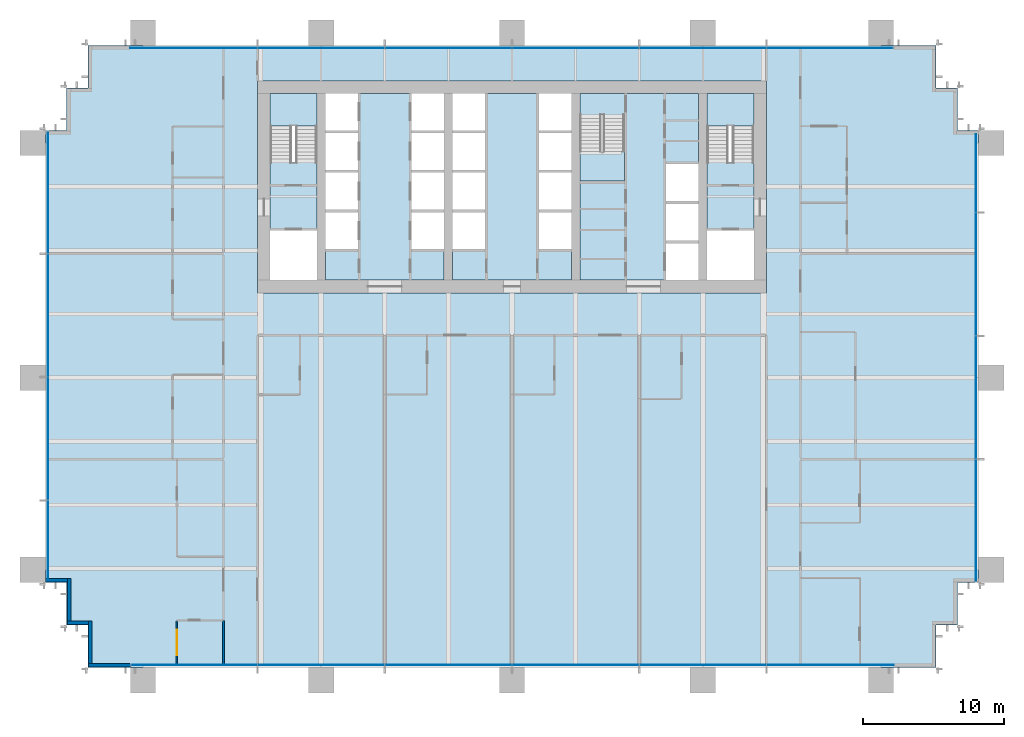
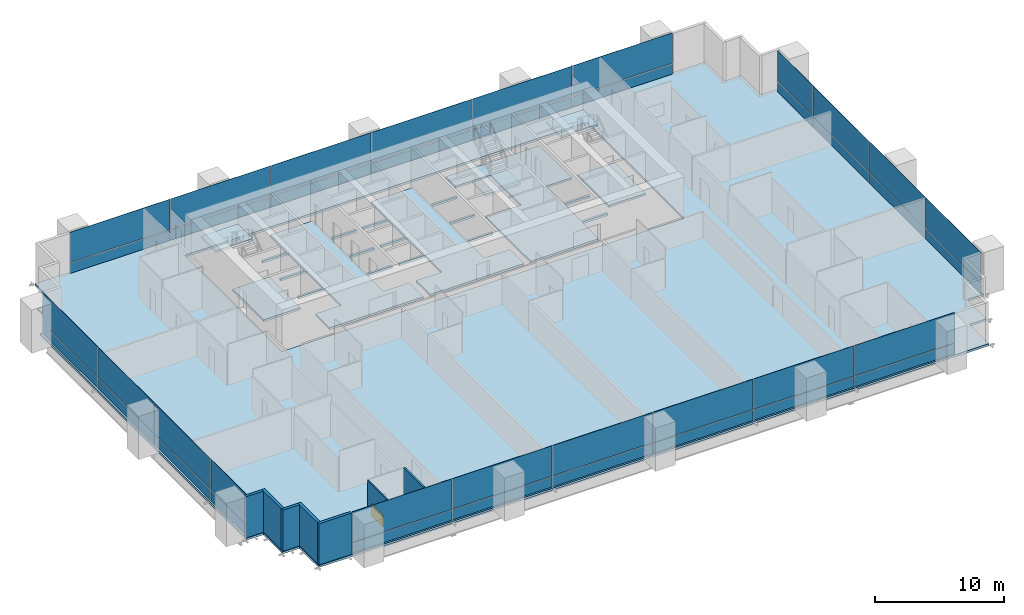
# One storey, part 10 of 17: 40 plates, 9 slabs, 7 walls, 1 window, 1 opening, 7 elements without a shape of their own.
"""IFC4 building model written with IfcOpenShell, lengths in metres."""

import ifcopenshell
import ifcopenshell.guid

model = None  # the IFC model being written
_history = None  # IfcOwnerHistory: only IFC2X3 demands one
_inside = {}  # id of a spatial element -> (the spatial element, [elements in it])
_under = {}  # id of a project, library or spatial element -> (it, [spatial elements below it])
_declared = {}  # id of a project -> (the project, [libraries it declares])
_typed = {}  # id of a type object -> (the type object, [elements of that type])
_made_of = {}  # id of a material, layer set ... -> (it, [elements and type objects made of it])


def new_model(schema):
    """Start an empty IFC model of exactly this schema.

    Asked for "IFC4X3", IfcOpenShell would pick the latest addendum, in which some entities
    have other attributes; the version numbers below select the first issue.
    IFC2X3 requires an IfcOwnerHistory on every rooted entity: one is made here for all.
    """
    global model, _history
    if schema == "IFC4X3":
        model = ifcopenshell.file(schema_version=(4, 3, 0, 0))
    else:
        model = ifcopenshell.file(schema=schema)
    _inside.clear()
    _under.clear()
    _declared.clear()
    _typed.clear()
    _made_of.clear()
    _history = None
    if model.schema == "IFC2X3":
        org = make("IfcOrganization", Name="unknown")
        user = make(
            "IfcPersonAndOrganization",
            ThePerson=make("IfcPerson", FamilyName="unknown"),
            TheOrganization=org,
        )
        app = make(
            "IfcApplication",
            ApplicationDeveloper=org,
            Version="unknown",
            ApplicationFullName="unknown",
            ApplicationIdentifier="unknown",
        )
        _history = make(
            "IfcOwnerHistory",
            OwningUser=user,
            OwningApplication=app,
            ChangeAction="ADDED",
            CreationDate=0,
        )
    return model


def make(cls, **values):
    """One entity of the class cls with the attributes given. An attribute that is None is left unset."""
    return model.create_entity(
        cls, **{name: value for name, value in values.items() if value is not None}
    )


def rooted(cls, **values):
    """An entity with a GlobalId (a new one), such as an element, a storey or a relation."""
    return make(cls, GlobalId=ifcopenshell.guid.new(), OwnerHistory=_history, **values)


def si_unit(unit_type, name, prefix=None):
    """IfcSIUnit, for example si_unit("LENGTHUNIT", "METRE", prefix="MILLI")."""
    return make("IfcSIUnit", UnitType=unit_type, Prefix=prefix, Name=name)


def assignment(units):
    """IfcUnitAssignment: the units of a project."""
    return None if units is None else make("IfcUnitAssignment", Units=units)


def point(xyz):
    """IfcCartesianPoint."""
    return None if xyz is None else make("IfcCartesianPoint", Coordinates=xyz)


def direction(xyz):
    """IfcDirection."""
    return None if xyz is None else make("IfcDirection", DirectionRatios=xyz)


def frame(location, z_axis=None, x_axis=None):
    """IfcAxis2Placement3D, a coordinate frame: its origin and axes. An axis left out is left unset."""
    return make(
        "IfcAxis2Placement3D",
        Location=point(location),
        Axis=direction(z_axis),
        RefDirection=direction(x_axis),
    )


def frame_2d(location, x_axis=None):
    """IfcAxis2Placement2D, a coordinate frame in the plane: its origin and x axis."""
    return make(
        "IfcAxis2Placement2D", Location=point(location), RefDirection=direction(x_axis)
    )


def origin():
    """The frame at (0, 0, 0) with its axes left unset."""
    return frame((0.0, 0.0, 0.0))


def origin_2d():
    """The frame at (0, 0) in the plane with its x axis left unset."""
    return frame_2d((0.0, 0.0))


def place(relative_to, where):
    """IfcLocalPlacement: puts the frame where relative to a parent placement (None: the world)."""
    return make(
        "IfcLocalPlacement", PlacementRelTo=relative_to, RelativePlacement=where
    )


def context(
    kind, dimensions, precision=None, world=None, true_north=None, identifier=None
):
    """IfcGeometricRepresentationContext, for example the 3D "Model" context."""
    return make(
        "IfcGeometricRepresentationContext",
        ContextIdentifier=identifier,
        ContextType=kind,
        CoordinateSpaceDimension=dimensions,
        Precision=precision,
        WorldCoordinateSystem=world,
        TrueNorth=true_north,
    )


def subcontext(parent, identifier, kind, view, scale=None):
    """IfcGeometricRepresentationSubContext, for example "Body" below "Model"."""
    return make(
        "IfcGeometricRepresentationSubContext",
        ContextIdentifier=identifier,
        ContextType=kind,
        ParentContext=parent,
        TargetScale=scale,
        TargetView=view,
    )


def project(units=None, contexts=None):
    """IfcProject with its units and contexts."""
    return rooted(
        "IfcProject",
        Name="project",
        RepresentationContexts=contexts,
        UnitsInContext=assignment(units),
    )


def spatial(cls, under=None, at=None, **own):
    """A site, building, storey or space (cls), placed at a placement, below another one or the project."""
    s = rooted(cls, ObjectPlacement=at, **own)
    if under is not None:
        _under.setdefault(under.id(), (under, []))[1].append(s)
    return s


def polyline(points):
    """IfcPolyline through the points."""
    return make("IfcPolyline", Points=[point(p) for p in points])


def profile(cls, at=None, kind="AREA", **sizes):
    """A parametric profile (cls). Its sizes go by their IFC names, for example OverallWidth=200.0."""
    return make(cls, ProfileType=kind, Position=at, **sizes)


def rectangle(**sizes):
    """IfcRectangleProfileDef."""
    return profile("IfcRectangleProfileDef", **sizes)


def outline(outer, holes=None, kind="AREA"):
    """IfcArbitraryClosedProfileDef: a profile drawn as a closed curve; with holes, ...WithVoids."""
    if holes is None:
        return make("IfcArbitraryClosedProfileDef", ProfileType=kind, OuterCurve=outer)
    return make(
        "IfcArbitraryProfileDefWithVoids",
        ProfileType=kind,
        OuterCurve=outer,
        InnerCurves=holes,
    )


def extrude(swept, where, along, depth):
    """IfcExtrudedAreaSolid: the profile swept, set in the frame where, extruded along a direction by depth."""
    return make(
        "IfcExtrudedAreaSolid",
        SweptArea=swept,
        Position=where,
        ExtrudedDirection=direction(along),
        Depth=depth,
    )


def shape(context_of_items, identifier, shape_type, items):
    """IfcShapeRepresentation: the items that make up one representation, for example the "Body"."""
    return make(
        "IfcShapeRepresentation",
        ContextOfItems=context_of_items,
        RepresentationIdentifier=identifier,
        RepresentationType=shape_type,
        Items=items,
    )


def material(Name=None, Category=None):
    """IfcMaterial."""
    return make("IfcMaterial", Name=Name, Category=Category)


def layer(
    of_material, thickness, ventilated=None, Name=None, Category=None, Priority=None
):
    """IfcMaterialLayer: one layer of a wall or slab, of a material (None: an air gap)."""
    return make(
        "IfcMaterialLayer",
        Material=of_material,
        LayerThickness=thickness,
        IsVentilated=ventilated,
        Name=Name,
        Category=Category,
        Priority=Priority,
    )


def layer_set(layers, Name=None):
    """IfcMaterialLayerSet."""
    return make("IfcMaterialLayerSet", MaterialLayers=layers, LayerSetName=Name)


def made_of(thing, what):
    """Note that an element or type object is made of a material, layer set ...; save() writes the relation."""
    if what is not None:
        _made_of.setdefault(what.id(), (what, []))[1].append(thing)
    return thing


def type_object(cls, material=None, **own):
    """A type object (cls), such as IfcWallType, which elements share."""
    return made_of(rooted(cls, **own), material)


def element(
    cls,
    number,
    at=None,
    inside=None,
    cuts=None,
    type_object=None,
    material=None,
    context=None,
    identifier="Body",
    shape_type=None,
    held_by="IfcProductDefinitionShape",
    body=None,
    shapes=None,
    **own,
):
    """One element of the class cls, such as IfcWall. Its Tag is "e" and its number.

    at: its placement. inside: the storey or other place that contains it. cuts: it is an
    opening in that element (IfcRelVoidsElement). A single representation is given by context,
    identifier, shape_type and body (its items); several are given by shapes. held_by: the class
    of the entity that holds the representations. save() writes the other relations.
    """
    e = rooted(cls, Tag="e%d" % number, ObjectPlacement=at, **own)
    if body is not None:
        shapes = [shape(context, identifier, shape_type, body)]
    if shapes is not None:
        e.Representation = make(held_by, Representations=shapes)
    if inside is not None:
        _inside.setdefault(inside.id(), (inside, []))[1].append(e)
    if cuts is not None:
        rooted(
            "IfcRelVoidsElement", RelatingBuildingElement=cuts, RelatedOpeningElement=e
        )
    if type_object is not None:
        _typed.setdefault(type_object.id(), (type_object, []))[1].append(e)
    return made_of(e, material)


def fill(opening, filler):
    """IfcRelFillsElement: the door or window that sits in an opening."""
    return rooted(
        "IfcRelFillsElement",
        RelatingOpeningElement=opening,
        RelatedBuildingElement=filler,
    )


def aggregate(whole, parts):
    """IfcRelAggregates: a whole, such as a stair, and the parts it consists of."""
    return rooted("IfcRelAggregates", RelatingObject=whole, RelatedObjects=parts)


def save(model, path):
    """Write the relations noted so far, then the file.

    IfcRelAggregates (storeys below a building ...), IfcRelContainedInSpatialStructure (elements
    in a storey), IfcRelDefinesByType, IfcRelAssociatesMaterial and IfcRelDeclares: one each for
    every whole, place, type object, material and project.
    """
    for whole, parts in _under.values():
        aggregate(whole, parts)
    for where, things in _inside.values():
        rooted(
            "IfcRelContainedInSpatialStructure",
            RelatedElements=things,
            RelatingStructure=where,
        )
    for kind, things in _typed.values():
        rooted("IfcRelDefinesByType", RelatedObjects=things, RelatingType=kind)
    for what, things in _made_of.values():
        rooted("IfcRelAssociatesMaterial", RelatedObjects=things, RelatingMaterial=what)
    for by, libraries in _declared.values():
        rooted("IfcRelDeclares", RelatingContext=by, RelatedDefinitions=libraries)
    model.write(path)


model = new_model("IFC4")

# Units and contexts
model_context = context("Model", 3, precision=1e-05, world=origin(), true_north=direction((0.0, 1.0)))
body_context = subcontext(model_context, "Body", "Model", "MODEL_VIEW")
ifc_project = project(units=[si_unit("LENGTHUNIT", "METRE"), si_unit("AREAUNIT", "SQUARE_METRE"), si_unit("VOLUMEUNIT", "CUBIC_METRE"), si_unit("PLANEANGLEUNIT", "RADIAN"), si_unit("MASSUNIT", "GRAM", prefix="KILO")], contexts=[model_context])

# Site, building, storey
site_placement = place(None, origin())
site = spatial("IfcSite", under=ifc_project, at=site_placement, CompositionType="ELEMENT")
building_placement = place(site_placement, origin())
building = spatial("IfcBuilding", under=site, at=building_placement, Name="Rattan Terrace Tower", CompositionType="ELEMENT")
storey_placement = place(building_placement, frame((0.0, 0.0, 61.10009765625)))
storey = spatial("IfcBuildingStorey", under=building, at=storey_placement, Name="L13", CompositionType="ELEMENT", Elevation=61.10009765625)

# Stair, slab
ifc_material_1 = material(Name="Concrete C40/50", Category="concrete")
stair_type = type_object("IfcStairType", Name="Core exit stair 1500", PredefinedType="HALF_TURN_STAIR", material=ifc_material_1)
stair_1_placement = place(storey_placement, origin())
stair_1 = element("IfcStair", 1, at=stair_1_placement, inside=storey, type_object=stair_type, Name="L13 exit stair 1", PredefinedType="HALF_TURN_STAIR")
ifc_material_2 = material(Name="Concrete C40/50", Category="concrete")
ifc_layer_1 = layer(ifc_material_2, 0.199951171875)
ifc_layer_set_1 = layer_set([ifc_layer_1], Name="Core exit stair landing")
slab_type_1 = type_object("IfcSlabType", Name="Core exit stair landing", PredefinedType="LANDING", material=ifc_layer_set_1)
slab_1_placement = place(storey_placement, frame((0.0, 0.0, 1.849853515625)))
slab_1 = element("IfcSlab", 2, at=slab_1_placement, type_object=slab_type_1, Name="S1 landing 1", PredefinedType="LANDING", context=body_context, shape_type="SweptSolid", body=[
    extrude(outline(polyline([(-13.800048828125, 4.300048828125), (-13.800048828125, 6.60009765625), (-17.10009765625, 6.60009765625), (-17.10009765625, 4.300048828125), (-13.800048828125, 4.300048828125)])), origin(), (0.0, 0.0, 1.0), 0.199951171875),
])
aggregate(stair_1, [slab_1])

stair_2_placement = place(storey_placement, origin())
stair_2 = element("IfcStair", 3, at=stair_2_placement, inside=storey, type_object=stair_type, Name="L13 exit stair 2", PredefinedType="HALF_TURN_STAIR")
slab_2_placement = place(storey_placement, frame((0.0, 0.0, 1.849853515625)))
slab_2 = element("IfcSlab", 4, at=slab_2_placement, type_object=slab_type_1, Name="S2 landing 1", PredefinedType="LANDING", context=body_context, shape_type="SweptSolid", body=[
    extrude(outline(polyline([(17.10009765625, 4.300048828125), (17.10009765625, 6.60009765625), (13.800048828125, 6.60009765625), (13.800048828125, 4.300048828125), (17.10009765625, 4.300048828125)])), origin(), (0.0, 0.0, 1.0), 0.199951171875),
])
aggregate(stair_2, [slab_2])

stair_3_placement = place(storey_placement, origin())
stair_3 = element("IfcStair", 5, at=stair_3_placement, inside=storey, type_object=stair_type, Name="L13 exit stair 3", PredefinedType="HALF_TURN_STAIR")
slab_3_placement = place(storey_placement, frame((0.0, 0.0, 1.849853515625)))
slab_3 = element("IfcSlab", 6, at=slab_3_placement, type_object=slab_type_1, Name="S3 landing 1", PredefinedType="LANDING", context=body_context, shape_type="SweptSolid", body=[
    extrude(outline(polyline([(4.800048828125, 2.5), (4.800048828125, 0.39990234375), (7.949951171875, 0.39990234375), (7.949951171875, 2.5), (4.800048828125, 2.5)])), origin(), (0.0, 0.0, 1.0), 0.199951171875),
])
aggregate(stair_3, [slab_3])

# Curtain wall, plates
ifc_material_3 = material(Name="Aluminium and glass", Category="aluminium")
curtain_wall_type = type_object("IfcCurtainWallType", Name="Facade Unitised Curtain Wall", PredefinedType="NOTDEFINED", material=ifc_material_3)
curtain_wall_1_placement = place(storey_placement, origin())
curtain_wall_1 = element("IfcCurtainWall", 7, at=curtain_wall_1_placement, inside=storey, type_object=curtain_wall_type, Name="Curtain wall L13-1", PredefinedType="NOTDEFINED")
ifc_material_4 = material(Name="Aluminium insulated spandrel panel", Category="aluminium")
ifc_layer_2 = layer(ifc_material_4, 0.028076171875)
ifc_layer_set_2 = layer_set([ifc_layer_2], Name="Facade CW Spandrel Panel")
plate_type_1 = type_object("IfcPlateType", Name="Facade CW Spandrel Panel", PredefinedType="CURTAIN_PANEL", material=ifc_layer_set_2)
plate_1_placement = place(storey_placement, frame((32.830078125, -23.59912109375, 0.0), z_axis=(0.0, 0.0, 1.0), x_axis=(0.0, 1.0, 0.0)))
plate_1 = element("IfcPlate", 8, at=plate_1_placement, type_object=plate_type_1, Name="Panel cwl-L13-001.1.1", PredefinedType="CURTAIN_PANEL", context=body_context, shape_type="SweptSolid", body=[
    extrude(rectangle(XDim=8.592041015625, YDim=0.028076171875, at=origin_2d()), origin(), (0.0, 0.0, 1.0), 0.969970703125),
])
plate_2_placement = place(storey_placement, frame((32.830078125, -14.909423828125, 0.0), z_axis=(0.0, 0.0, 1.0), x_axis=(0.0, 1.0, 0.0)))
plate_2 = element("IfcPlate", 9, at=plate_2_placement, type_object=plate_type_1, Name="Panel cwl-L13-001.2.1", PredefinedType="CURTAIN_PANEL", context=body_context, shape_type="SweptSolid", body=[
    extrude(rectangle(XDim=8.6669921875, YDim=0.028076171875, at=origin_2d()), origin(), (0.0, 0.0, 1.0), 0.969970703125),
])
plate_3_placement = place(storey_placement, frame((32.830078125, -6.1826171875, 0.0), z_axis=(0.0, 0.0, 1.0), x_axis=(0.0, 1.0, 0.0)))
plate_3 = element("IfcPlate", 10, at=plate_3_placement, type_object=plate_type_1, Name="Panel cwl-L13-001.3.1", PredefinedType="CURTAIN_PANEL", context=body_context, shape_type="SweptSolid", body=[
    extrude(rectangle(XDim=8.6669921875, YDim=0.028076171875, at=origin_2d()), origin(), (0.0, 0.0, 1.0), 0.969970703125),
])
plate_4_placement = place(storey_placement, frame((32.830078125, 0.9580078125, 0.0), z_axis=(0.0, 0.0, 1.0), x_axis=(0.0, 1.0, 0.0)))
plate_4 = element("IfcPlate", 11, at=plate_4_placement, type_object=plate_type_1, Name="Panel cwl-L13-001.4.1", PredefinedType="CURTAIN_PANEL", context=body_context, shape_type="SweptSolid", body=[
    extrude(rectangle(XDim=5.493896484375, YDim=0.028076171875, at=origin_2d()), origin(), (0.0, 0.0, 1.0), 0.969970703125),
])

curtain_wall_2_placement = place(storey_placement, origin())
curtain_wall_2 = element("IfcCurtainWall", 12, at=curtain_wall_2_placement, inside=storey, type_object=curtain_wall_type, Name="Curtain wall L13-2", PredefinedType="NOTDEFINED")
plate_5_placement = place(storey_placement, frame((22.485107421875, 9.830078125, 0.0), z_axis=(0.0, 0.0, 1.0), x_axis=(-1.0, 0.0, 0.0)))
plate_5 = element("IfcPlate", 13, at=plate_5_placement, type_object=plate_type_1, Name="Panel cwl-L13-002.1.1", PredefinedType="CURTAIN_PANEL", context=body_context, shape_type="SweptSolid", body=[
    extrude(rectangle(XDim=8.909912109375, YDim=0.028076171875, at=origin_2d()), origin(), (0.0, 0.0, 1.0), 0.969970703125),
])
plate_6_placement = place(storey_placement, frame((13.5, 9.830078125, 0.0), z_axis=(0.0, 0.0, 1.0), x_axis=(-1.0, 0.0, 0.0)))
plate_6 = element("IfcPlate", 14, at=plate_6_placement, type_object=plate_type_1, Name="Panel cwl-L13-002.2.1", PredefinedType="CURTAIN_PANEL", context=body_context, shape_type="SweptSolid", body=[
    extrude(rectangle(XDim=8.93994140625, YDim=0.028076171875, at=origin_2d()), origin(), (0.0, 0.0, 1.0), 0.969970703125),
])
plate_7_placement = place(storey_placement, frame((4.5, 9.830078125, 0.0), z_axis=(0.0, 0.0, 1.0), x_axis=(-1.0, 0.0, 0.0)))
plate_7 = element("IfcPlate", 15, at=plate_7_placement, type_object=plate_type_1, Name="Panel cwl-L13-002.3.1", PredefinedType="CURTAIN_PANEL", context=body_context, shape_type="SweptSolid", body=[
    extrude(rectangle(XDim=8.93994140625, YDim=0.028076171875, at=origin_2d()), origin(), (0.0, 0.0, 1.0), 0.969970703125),
])
plate_8_placement = place(storey_placement, frame((-4.5, 9.830078125, 0.0), z_axis=(0.0, 0.0, 1.0), x_axis=(-1.0, 0.0, 0.0)))
plate_8 = element("IfcPlate", 16, at=plate_8_placement, type_object=plate_type_1, Name="Panel cwl-L13-002.4.1", PredefinedType="CURTAIN_PANEL", context=body_context, shape_type="SweptSolid", body=[
    extrude(rectangle(XDim=8.93994140625, YDim=0.028076171875, at=origin_2d()), origin(), (0.0, 0.0, 1.0), 0.969970703125),
])
plate_9_placement = place(storey_placement, frame((-13.5, 9.830078125, 0.0), z_axis=(0.0, 0.0, 1.0), x_axis=(-1.0, 0.0, 0.0)))
plate_9 = element("IfcPlate", 17, at=plate_9_placement, type_object=plate_type_1, Name="Panel cwl-L13-002.5.1", PredefinedType="CURTAIN_PANEL", context=body_context, shape_type="SweptSolid", body=[
    extrude(rectangle(XDim=8.93994140625, YDim=0.028076171875, at=origin_2d()), origin(), (0.0, 0.0, 1.0), 0.969970703125),
])
plate_10_placement = place(storey_placement, frame((-22.514892578125, 9.830078125, 0.0), z_axis=(0.0, 0.0, 1.0), x_axis=(-1.0, 0.0, 0.0)))
plate_10 = element("IfcPlate", 18, at=plate_10_placement, type_object=plate_type_1, Name="Panel cwl-L13-002.6.1", PredefinedType="CURTAIN_PANEL", context=body_context, shape_type="SweptSolid", body=[
    extrude(rectangle(XDim=8.969970703125, YDim=0.028076171875, at=origin_2d()), origin(), (0.0, 0.0, 1.0), 0.969970703125),
])

curtain_wall_3_placement = place(storey_placement, origin())
curtain_wall_3 = element("IfcCurtainWall", 19, at=curtain_wall_3_placement, inside=storey, type_object=curtain_wall_type, Name="Curtain wall L13-3", PredefinedType="NOTDEFINED")
plate_11_placement = place(storey_placement, frame((-32.830078125, -0.40087890625, 0.0), z_axis=(0.0, 0.0, 1.0), x_axis=(0.0, -1.0, 0.0)))
plate_11 = element("IfcPlate", 20, at=plate_11_placement, type_object=plate_type_1, Name="Panel cwl-L13-003.1.1", PredefinedType="CURTAIN_PANEL", context=body_context, shape_type="SweptSolid", body=[
    extrude(rectangle(XDim=8.592041015625, YDim=0.028076171875, at=origin_2d()), origin(), (0.0, 0.0, 1.0), 0.969970703125),
])
plate_12_placement = place(storey_placement, frame((-32.830078125, -9.090576171875, 0.0), z_axis=(0.0, 0.0, 1.0), x_axis=(0.0, -1.0, 0.0)))
plate_12 = element("IfcPlate", 21, at=plate_12_placement, type_object=plate_type_1, Name="Panel cwl-L13-003.2.1", PredefinedType="CURTAIN_PANEL", context=body_context, shape_type="SweptSolid", body=[
    extrude(rectangle(XDim=8.6669921875, YDim=0.028076171875, at=origin_2d()), origin(), (0.0, 0.0, 1.0), 0.969970703125),
])
plate_13_placement = place(storey_placement, frame((-32.830078125, -17.8173828125, 0.0), z_axis=(0.0, 0.0, 1.0), x_axis=(0.0, -1.0, 0.0)))
plate_13 = element("IfcPlate", 22, at=plate_13_placement, type_object=plate_type_1, Name="Panel cwl-L13-003.3.1", PredefinedType="CURTAIN_PANEL", context=body_context, shape_type="SweptSolid", body=[
    extrude(rectangle(XDim=8.6669921875, YDim=0.028076171875, at=origin_2d()), origin(), (0.0, 0.0, 1.0), 0.969970703125),
])
plate_14_placement = place(storey_placement, frame((-32.830078125, -24.9580078125, 0.0), z_axis=(0.0, 0.0, 1.0), x_axis=(0.0, -1.0, 0.0)))
plate_14 = element("IfcPlate", 23, at=plate_14_placement, type_object=plate_type_1, Name="Panel cwl-L13-003.4.1", PredefinedType="CURTAIN_PANEL", context=body_context, shape_type="SweptSolid", body=[
    extrude(rectangle(XDim=5.493896484375, YDim=0.028076171875, at=origin_2d()), origin(), (0.0, 0.0, 1.0), 0.969970703125),
])

curtain_wall_4_placement = place(storey_placement, origin())
curtain_wall_4 = element("IfcCurtainWall", 24, at=curtain_wall_4_placement, inside=storey, type_object=curtain_wall_type, Name="Curtain wall L13-4", PredefinedType="NOTDEFINED")
plate_15_placement = place(storey_placement, frame((-22.485107421875, -33.830078125, 0.0), z_axis=(0.0, 0.0, 1.0), x_axis=(1.0, 0.0, 0.0)))
plate_15 = element("IfcPlate", 25, at=plate_15_placement, type_object=plate_type_1, Name="Panel cwl-L13-004.1.1", PredefinedType="CURTAIN_PANEL", context=body_context, shape_type="SweptSolid", body=[
    extrude(rectangle(XDim=8.909912109375, YDim=0.028076171875, at=origin_2d()), origin(), (0.0, 0.0, 1.0), 0.969970703125),
])
plate_16_placement = place(storey_placement, frame((-13.5, -33.830078125, 0.0), z_axis=(0.0, 0.0, 1.0), x_axis=(1.0, 0.0, 0.0)))
plate_16 = element("IfcPlate", 26, at=plate_16_placement, type_object=plate_type_1, Name="Panel cwl-L13-004.2.1", PredefinedType="CURTAIN_PANEL", context=body_context, shape_type="SweptSolid", body=[
    extrude(rectangle(XDim=8.93994140625, YDim=0.028076171875, at=origin_2d()), origin(), (0.0, 0.0, 1.0), 0.969970703125),
])
plate_17_placement = place(storey_placement, frame((-4.5, -33.830078125, 0.0), z_axis=(0.0, 0.0, 1.0), x_axis=(1.0, 0.0, 0.0)))
plate_17 = element("IfcPlate", 27, at=plate_17_placement, type_object=plate_type_1, Name="Panel cwl-L13-004.3.1", PredefinedType="CURTAIN_PANEL", context=body_context, shape_type="SweptSolid", body=[
    extrude(rectangle(XDim=8.93994140625, YDim=0.028076171875, at=origin_2d()), origin(), (0.0, 0.0, 1.0), 0.969970703125),
])
plate_18_placement = place(storey_placement, frame((4.5, -33.830078125, 0.0), z_axis=(0.0, 0.0, 1.0), x_axis=(1.0, 0.0, 0.0)))
plate_18 = element("IfcPlate", 28, at=plate_18_placement, type_object=plate_type_1, Name="Panel cwl-L13-004.4.1", PredefinedType="CURTAIN_PANEL", context=body_context, shape_type="SweptSolid", body=[
    extrude(rectangle(XDim=8.93994140625, YDim=0.028076171875, at=origin_2d()), origin(), (0.0, 0.0, 1.0), 0.969970703125),
])
plate_19_placement = place(storey_placement, frame((13.5, -33.830078125, 0.0), z_axis=(0.0, 0.0, 1.0), x_axis=(1.0, 0.0, 0.0)))
plate_19 = element("IfcPlate", 29, at=plate_19_placement, type_object=plate_type_1, Name="Panel cwl-L13-004.5.1", PredefinedType="CURTAIN_PANEL", context=body_context, shape_type="SweptSolid", body=[
    extrude(rectangle(XDim=8.93994140625, YDim=0.028076171875, at=origin_2d()), origin(), (0.0, 0.0, 1.0), 0.969970703125),
])
plate_20_placement = place(storey_placement, frame((22.514892578125, -33.830078125, 0.0), z_axis=(0.0, 0.0, 1.0), x_axis=(1.0, 0.0, 0.0)))
plate_20 = element("IfcPlate", 30, at=plate_20_placement, type_object=plate_type_1, Name="Panel cwl-L13-004.6.1", PredefinedType="CURTAIN_PANEL", context=body_context, shape_type="SweptSolid", body=[
    extrude(rectangle(XDim=8.969970703125, YDim=0.028076171875, at=origin_2d()), origin(), (0.0, 0.0, 1.0), 0.969970703125),
])

# Plate
ifc_material_5 = material(Name="Clear low-iron glass", Category="glass")
ifc_layer_3 = layer(ifc_material_5, 0.028076171875)
ifc_layer_set_3 = layer_set([ifc_layer_3], Name="Facade CW Vision Panel")
plate_type_2 = type_object("IfcPlateType", Name="Facade CW Vision Panel", PredefinedType="CURTAIN_PANEL", material=ifc_layer_set_3)
plate_21_placement = place(storey_placement, frame((32.830078125, -23.59912109375, 1.02978515625), z_axis=(0.0, 0.0, 1.0), x_axis=(0.0, 1.0, 0.0)))
plate_21 = element("IfcPlate", 31, at=plate_21_placement, type_object=plate_type_2, Name="Panel cwl-L13-001.1.2", PredefinedType="CURTAIN_PANEL", context=body_context, shape_type="SweptSolid", body=[
    extrude(rectangle(XDim=8.592041015625, YDim=0.028076171875, at=origin_2d()), origin(), (0.0, 0.0, 1.0), 2.8701171875),
])

plate_22_placement = place(storey_placement, frame((32.830078125, -14.909423828125, 1.02978515625), z_axis=(0.0, 0.0, 1.0), x_axis=(0.0, 1.0, 0.0)))
plate_22 = element("IfcPlate", 32, at=plate_22_placement, type_object=plate_type_2, Name="Panel cwl-L13-001.2.2", PredefinedType="CURTAIN_PANEL", context=body_context, shape_type="SweptSolid", body=[
    extrude(rectangle(XDim=8.6669921875, YDim=0.028076171875, at=origin_2d()), origin(), (0.0, 0.0, 1.0), 2.8701171875),
])

plate_23_placement = place(storey_placement, frame((32.830078125, -6.1826171875, 1.02978515625), z_axis=(0.0, 0.0, 1.0), x_axis=(0.0, 1.0, 0.0)))
plate_23 = element("IfcPlate", 33, at=plate_23_placement, type_object=plate_type_2, Name="Panel cwl-L13-001.3.2", PredefinedType="CURTAIN_PANEL", context=body_context, shape_type="SweptSolid", body=[
    extrude(rectangle(XDim=8.6669921875, YDim=0.028076171875, at=origin_2d()), origin(), (0.0, 0.0, 1.0), 2.8701171875),
])

plate_24_placement = place(storey_placement, frame((32.830078125, 0.9580078125, 1.02978515625), z_axis=(0.0, 0.0, 1.0), x_axis=(0.0, 1.0, 0.0)))
plate_24 = element("IfcPlate", 34, at=plate_24_placement, type_object=plate_type_2, Name="Panel cwl-L13-001.4.2", PredefinedType="CURTAIN_PANEL", context=body_context, shape_type="SweptSolid", body=[
    extrude(rectangle(XDim=5.493896484375, YDim=0.028076171875, at=origin_2d()), origin(), (0.0, 0.0, 1.0), 2.8701171875),
])

aggregate(curtain_wall_1, [plate_1, plate_21, plate_2, plate_22, plate_3, plate_23, plate_4, plate_24])

plate_25_placement = place(storey_placement, frame((22.485107421875, 9.830078125, 1.02978515625), z_axis=(0.0, 0.0, 1.0), x_axis=(-1.0, 0.0, 0.0)))
plate_25 = element("IfcPlate", 35, at=plate_25_placement, type_object=plate_type_2, Name="Panel cwl-L13-002.1.2", PredefinedType="CURTAIN_PANEL", context=body_context, shape_type="SweptSolid", body=[
    extrude(rectangle(XDim=8.909912109375, YDim=0.028076171875, at=origin_2d()), origin(), (0.0, 0.0, 1.0), 2.8701171875),
])

plate_26_placement = place(storey_placement, frame((13.5, 9.830078125, 1.02978515625), z_axis=(0.0, 0.0, 1.0), x_axis=(-1.0, 0.0, 0.0)))
plate_26 = element("IfcPlate", 36, at=plate_26_placement, type_object=plate_type_2, Name="Panel cwl-L13-002.2.2", PredefinedType="CURTAIN_PANEL", context=body_context, shape_type="SweptSolid", body=[
    extrude(rectangle(XDim=8.93994140625, YDim=0.028076171875, at=origin_2d()), origin(), (0.0, 0.0, 1.0), 2.8701171875),
])

plate_27_placement = place(storey_placement, frame((4.5, 9.830078125, 1.02978515625), z_axis=(0.0, 0.0, 1.0), x_axis=(-1.0, 0.0, 0.0)))
plate_27 = element("IfcPlate", 37, at=plate_27_placement, type_object=plate_type_2, Name="Panel cwl-L13-002.3.2", PredefinedType="CURTAIN_PANEL", context=body_context, shape_type="SweptSolid", body=[
    extrude(rectangle(XDim=8.93994140625, YDim=0.028076171875, at=origin_2d()), origin(), (0.0, 0.0, 1.0), 2.8701171875),
])

plate_28_placement = place(storey_placement, frame((-4.5, 9.830078125, 1.02978515625), z_axis=(0.0, 0.0, 1.0), x_axis=(-1.0, 0.0, 0.0)))
plate_28 = element("IfcPlate", 38, at=plate_28_placement, type_object=plate_type_2, Name="Panel cwl-L13-002.4.2", PredefinedType="CURTAIN_PANEL", context=body_context, shape_type="SweptSolid", body=[
    extrude(rectangle(XDim=8.93994140625, YDim=0.028076171875, at=origin_2d()), origin(), (0.0, 0.0, 1.0), 2.8701171875),
])

plate_29_placement = place(storey_placement, frame((-13.5, 9.830078125, 1.02978515625), z_axis=(0.0, 0.0, 1.0), x_axis=(-1.0, 0.0, 0.0)))
plate_29 = element("IfcPlate", 39, at=plate_29_placement, type_object=plate_type_2, Name="Panel cwl-L13-002.5.2", PredefinedType="CURTAIN_PANEL", context=body_context, shape_type="SweptSolid", body=[
    extrude(rectangle(XDim=8.93994140625, YDim=0.028076171875, at=origin_2d()), origin(), (0.0, 0.0, 1.0), 2.8701171875),
])

plate_30_placement = place(storey_placement, frame((-22.514892578125, 9.830078125, 1.02978515625), z_axis=(0.0, 0.0, 1.0), x_axis=(-1.0, 0.0, 0.0)))
plate_30 = element("IfcPlate", 40, at=plate_30_placement, type_object=plate_type_2, Name="Panel cwl-L13-002.6.2", PredefinedType="CURTAIN_PANEL", context=body_context, shape_type="SweptSolid", body=[
    extrude(rectangle(XDim=8.969970703125, YDim=0.028076171875, at=origin_2d()), origin(), (0.0, 0.0, 1.0), 2.8701171875),
])

aggregate(curtain_wall_2, [plate_5, plate_25, plate_6, plate_26, plate_7, plate_27, plate_8, plate_28, plate_9, plate_29, plate_10, plate_30])

plate_31_placement = place(storey_placement, frame((-32.830078125, -0.40087890625, 1.02978515625), z_axis=(0.0, 0.0, 1.0), x_axis=(0.0, -1.0, 0.0)))
plate_31 = element("IfcPlate", 41, at=plate_31_placement, type_object=plate_type_2, Name="Panel cwl-L13-003.1.2", PredefinedType="CURTAIN_PANEL", context=body_context, shape_type="SweptSolid", body=[
    extrude(rectangle(XDim=8.592041015625, YDim=0.028076171875, at=origin_2d()), origin(), (0.0, 0.0, 1.0), 2.8701171875),
])

plate_32_placement = place(storey_placement, frame((-32.830078125, -9.090576171875, 1.02978515625), z_axis=(0.0, 0.0, 1.0), x_axis=(0.0, -1.0, 0.0)))
plate_32 = element("IfcPlate", 42, at=plate_32_placement, type_object=plate_type_2, Name="Panel cwl-L13-003.2.2", PredefinedType="CURTAIN_PANEL", context=body_context, shape_type="SweptSolid", body=[
    extrude(rectangle(XDim=8.6669921875, YDim=0.028076171875, at=origin_2d()), origin(), (0.0, 0.0, 1.0), 2.8701171875),
])

plate_33_placement = place(storey_placement, frame((-32.830078125, -17.8173828125, 1.02978515625), z_axis=(0.0, 0.0, 1.0), x_axis=(0.0, -1.0, 0.0)))
plate_33 = element("IfcPlate", 43, at=plate_33_placement, type_object=plate_type_2, Name="Panel cwl-L13-003.3.2", PredefinedType="CURTAIN_PANEL", context=body_context, shape_type="SweptSolid", body=[
    extrude(rectangle(XDim=8.6669921875, YDim=0.028076171875, at=origin_2d()), origin(), (0.0, 0.0, 1.0), 2.8701171875),
])

plate_34_placement = place(storey_placement, frame((-32.830078125, -24.9580078125, 1.02978515625), z_axis=(0.0, 0.0, 1.0), x_axis=(0.0, -1.0, 0.0)))
plate_34 = element("IfcPlate", 44, at=plate_34_placement, type_object=plate_type_2, Name="Panel cwl-L13-003.4.2", PredefinedType="CURTAIN_PANEL", context=body_context, shape_type="SweptSolid", body=[
    extrude(rectangle(XDim=5.493896484375, YDim=0.028076171875, at=origin_2d()), origin(), (0.0, 0.0, 1.0), 2.8701171875),
])

aggregate(curtain_wall_3, [plate_11, plate_31, plate_12, plate_32, plate_13, plate_33, plate_14, plate_34])

plate_35_placement = place(storey_placement, frame((-22.485107421875, -33.830078125, 1.02978515625), z_axis=(0.0, 0.0, 1.0), x_axis=(1.0, 0.0, 0.0)))
plate_35 = element("IfcPlate", 45, at=plate_35_placement, type_object=plate_type_2, Name="Panel cwl-L13-004.1.2", PredefinedType="CURTAIN_PANEL", context=body_context, shape_type="SweptSolid", body=[
    extrude(rectangle(XDim=8.909912109375, YDim=0.028076171875, at=origin_2d()), origin(), (0.0, 0.0, 1.0), 2.8701171875),
])

plate_36_placement = place(storey_placement, frame((-13.5, -33.830078125, 1.02978515625), z_axis=(0.0, 0.0, 1.0), x_axis=(1.0, 0.0, 0.0)))
plate_36 = element("IfcPlate", 46, at=plate_36_placement, type_object=plate_type_2, Name="Panel cwl-L13-004.2.2", PredefinedType="CURTAIN_PANEL", context=body_context, shape_type="SweptSolid", body=[
    extrude(rectangle(XDim=8.93994140625, YDim=0.028076171875, at=origin_2d()), origin(), (0.0, 0.0, 1.0), 2.8701171875),
])

plate_37_placement = place(storey_placement, frame((-4.5, -33.830078125, 1.02978515625), z_axis=(0.0, 0.0, 1.0), x_axis=(1.0, 0.0, 0.0)))
plate_37 = element("IfcPlate", 47, at=plate_37_placement, type_object=plate_type_2, Name="Panel cwl-L13-004.3.2", PredefinedType="CURTAIN_PANEL", context=body_context, shape_type="SweptSolid", body=[
    extrude(rectangle(XDim=8.93994140625, YDim=0.028076171875, at=origin_2d()), origin(), (0.0, 0.0, 1.0), 2.8701171875),
])

plate_38_placement = place(storey_placement, frame((4.5, -33.830078125, 1.02978515625), z_axis=(0.0, 0.0, 1.0), x_axis=(1.0, 0.0, 0.0)))
plate_38 = element("IfcPlate", 48, at=plate_38_placement, type_object=plate_type_2, Name="Panel cwl-L13-004.4.2", PredefinedType="CURTAIN_PANEL", context=body_context, shape_type="SweptSolid", body=[
    extrude(rectangle(XDim=8.93994140625, YDim=0.028076171875, at=origin_2d()), origin(), (0.0, 0.0, 1.0), 2.8701171875),
])

plate_39_placement = place(storey_placement, frame((13.5, -33.830078125, 1.02978515625), z_axis=(0.0, 0.0, 1.0), x_axis=(1.0, 0.0, 0.0)))
plate_39 = element("IfcPlate", 49, at=plate_39_placement, type_object=plate_type_2, Name="Panel cwl-L13-004.5.2", PredefinedType="CURTAIN_PANEL", context=body_context, shape_type="SweptSolid", body=[
    extrude(rectangle(XDim=8.93994140625, YDim=0.028076171875, at=origin_2d()), origin(), (0.0, 0.0, 1.0), 2.8701171875),
])

plate_40_placement = place(storey_placement, frame((22.514892578125, -33.830078125, 1.02978515625), z_axis=(0.0, 0.0, 1.0), x_axis=(1.0, 0.0, 0.0)))
plate_40 = element("IfcPlate", 50, at=plate_40_placement, type_object=plate_type_2, Name="Panel cwl-L13-004.6.2", PredefinedType="CURTAIN_PANEL", context=body_context, shape_type="SweptSolid", body=[
    extrude(rectangle(XDim=8.969970703125, YDim=0.028076171875, at=origin_2d()), origin(), (0.0, 0.0, 1.0), 2.8701171875),
])

aggregate(curtain_wall_4, [plate_15, plate_35, plate_16, plate_36, plate_17, plate_37, plate_18, plate_38, plate_19, plate_39, plate_20, plate_40])

# Slabs
ifc_material_6 = material(Name="Concrete C35/45", Category="concrete")
ifc_layer_4 = layer(ifc_material_6, 0.199951171875)
ifc_layer_set_4 = layer_set([ifc_layer_4], Name="Frame composite floor slab 200")
slab_type_2 = type_object("IfcSlabType", Name="Frame composite floor slab 200", PredefinedType="FLOOR", material=ifc_layer_set_4)
slab_4_placement = place(storey_placement, frame((0.0, 0.0, -0.2001953125)))
element("IfcSlab", 51, at=slab_4_placement, inside=storey, type_object=slab_type_2, Name="Floor slab", PredefinedType="FLOOR", context=body_context, shape_type="SweptSolid", body=[
    extrude(outline(polyline([(-27.0, -34.0), (27.0, -34.0), (30.0, -34.0), (30.0, -31.0), (31.5, -31.0), (31.5, -28.0), (33.0, -28.0), (33.0, 4.0), (31.5, 4.0), (31.5, 7.0), (30.0, 7.0), (30.0, 10.0), (27.0, 10.0), (-27.0, 10.0), (-30.0, 10.0), (-30.0, 7.0), (-31.5, 7.0), (-31.5, 4.0), (-33.0, 4.0), (-33.0, -28.0), (-31.5, -28.0), (-31.5, -31.0), (-30.0, -31.0), (-30.0, -34.0), (-27.0, -34.0)]), holes=[polyline([(-18.0, -6.60009765625), (-18.0, -7.5), (18.0, -7.5), (18.0, -6.60009765625), (18.0, 6.60009765625), (18.0, 7.5), (-18.0, 7.5), (-18.0, 6.60009765625), (-18.0, -6.60009765625)])]), origin(), (0.0, 0.0, 1.0), 0.2001953125),
])
slab_5_placement = place(storey_placement, frame((0.0, 0.0, -0.2001953125)))
element("IfcSlab", 52, at=slab_5_placement, inside=storey, type_object=slab_type_2, Name="Floor slab", PredefinedType="FLOOR", context=body_context, shape_type="SweptSolid", body=[
    extrude(outline(polyline([(-10.89990234375, 6.60009765625), (-10.89990234375, 4.0), (-13.199951171875, 4.0), (-13.199951171875, 3.800048828125), (-10.89990234375, 3.800048828125), (-10.89990234375, 1.199951171875), (-13.199951171875, 1.199951171875), (-13.199951171875, 1.0), (-10.89990234375, 1.0), (-10.89990234375, -1.60009765625), (-13.199951171875, -1.60009765625), (-13.199951171875, -1.800048828125), (-10.89990234375, -1.800048828125), (-10.89990234375, -4.39990234375), (-13.199951171875, -4.39990234375), (-13.199951171875, -6.60009765625), (-4.800048828125, -6.60009765625), (-4.800048828125, -4.39990234375), (-7.10009765625, -4.39990234375), (-7.10009765625, -1.800048828125), (-4.800048828125, -1.800048828125), (-4.800048828125, -1.60009765625), (-7.10009765625, -1.60009765625), (-7.10009765625, 1.0), (-4.800048828125, 1.0), (-4.800048828125, 1.199951171875), (-7.10009765625, 1.199951171875), (-7.10009765625, 3.800048828125), (-4.800048828125, 3.800048828125), (-4.800048828125, 4.0), (-7.10009765625, 4.0), (-7.10009765625, 6.60009765625), (-10.89990234375, 6.60009765625)])), origin(), (0.0, 0.0, 1.0), 0.2001953125),
])
slab_6_placement = place(storey_placement, frame((0.0, 0.0, -0.2001953125)))
element("IfcSlab", 53, at=slab_6_placement, inside=storey, type_object=slab_type_2, Name="Floor slab", PredefinedType="FLOOR", context=body_context, shape_type="SweptSolid", body=[
    extrude(outline(polyline([(-17.10009765625, -3.10009765625), (-13.800048828125, -3.10009765625), (-13.800048828125, 1.7099609375), (-17.10009765625, 1.7099609375), (-17.10009765625, -3.10009765625)])), origin(), (0.0, 0.0, 1.0), 0.2001953125),
])
slab_7_placement = place(storey_placement, frame((0.0, 0.0, -0.2001953125)))
element("IfcSlab", 54, at=slab_7_placement, inside=storey, type_object=slab_type_2, Name="Floor slab", PredefinedType="FLOOR", context=body_context, shape_type="SweptSolid", body=[
    extrude(outline(polyline([(-4.199951171875, 4.0), (-4.199951171875, 3.800048828125), (-1.89990234375, 3.800048828125), (-1.89990234375, 1.199951171875), (-4.199951171875, 1.199951171875), (-4.199951171875, 1.0), (-1.89990234375, 1.0), (-1.89990234375, -1.60009765625), (-4.199951171875, -1.60009765625), (-4.199951171875, -1.800048828125), (-1.89990234375, -1.800048828125), (-1.89990234375, -4.39990234375), (-4.199951171875, -4.39990234375), (-4.199951171875, -6.60009765625), (4.199951171875, -6.60009765625), (4.199951171875, -4.39990234375), (1.89990234375, -4.39990234375), (1.89990234375, -1.800048828125), (4.199951171875, -1.800048828125), (4.199951171875, -1.60009765625), (1.89990234375, -1.60009765625), (1.89990234375, 1.0), (4.199951171875, 1.0), (4.199951171875, 1.199951171875), (1.89990234375, 1.199951171875), (1.89990234375, 3.800048828125), (4.199951171875, 3.800048828125), (4.199951171875, 4.0), (1.89990234375, 4.0), (1.89990234375, 6.60009765625), (-1.89990234375, 6.60009765625), (-1.89990234375, 4.0), (-4.199951171875, 4.0)])), origin(), (0.0, 0.0, 1.0), 0.2001953125),
])
slab_8_placement = place(storey_placement, frame((0.0, 0.0, -0.2001953125)))
element("IfcSlab", 55, at=slab_8_placement, inside=storey, type_object=slab_type_2, Name="Floor slab", PredefinedType="FLOOR", context=body_context, shape_type="SweptSolid", body=[
    extrude(outline(polyline([(4.800048828125, 5.090087890625), (7.949951171875, 5.090087890625), (7.949951171875, 0.39990234375), (4.800048828125, 0.39990234375), (4.800048828125, -6.60009765625), (10.89990234375, -6.60009765625), (10.89990234375, -4.0), (13.199951171875, -4.0), (13.199951171875, -3.800048828125), (10.89990234375, -3.800048828125), (10.89990234375, -1.199951171875), (13.199951171875, -1.199951171875), (13.199951171875, -1.0), (10.89990234375, -1.0), (10.89990234375, 1.60009765625), (13.199951171875, 1.60009765625), (13.199951171875, 6.60009765625), (4.800048828125, 6.60009765625), (4.800048828125, 5.090087890625)])), origin(), (0.0, 0.0, 1.0), 0.2001953125),
])
slab_9_placement = place(storey_placement, frame((0.0, 0.0, -0.2001953125)))
element("IfcSlab", 56, at=slab_9_placement, inside=storey, type_object=slab_type_2, Name="Floor slab", PredefinedType="FLOOR", context=body_context, shape_type="SweptSolid", body=[
    extrude(outline(polyline([(13.800048828125, -3.10009765625), (17.10009765625, -3.10009765625), (17.10009765625, 1.7099609375), (13.800048828125, 1.7099609375), (13.800048828125, -3.10009765625)])), origin(), (0.0, 0.0, 1.0), 0.2001953125),
])

# Walls
ifc_material_7 = material(Name="Insulated aluminium-clad stud wall", Category="aluminium")
ifc_layer_5 = layer(ifc_material_7, 0.25)
ifc_layer_set_5 = layer_set([ifc_layer_5], Name="Facade Riser Wall 250")
wall_type_1 = type_object("IfcWallType", Name="Facade Riser Wall 250", PredefinedType="SOLIDWALL", material=ifc_layer_set_5)
wall_1_placement = place(storey_placement, frame((-33.0048828125, -27.830078125, 0.0), z_axis=(0.0, 0.0, 1.0), x_axis=(1.0, 0.0, 0.0)))
element("IfcWall", 57, at=wall_1_placement, inside=storey, type_object=wall_type_1, Name="Riser wall L13-16", PredefinedType="SOLIDWALL", context=body_context, shape_type="SweptSolid", body=[
    extrude(rectangle(XDim=1.5498046875, YDim=0.25, at=frame_2d((0.77490234375, 0.0))), origin(), (0.0, 0.0, 1.0), 3.89990234375),
])
wall_2_placement = place(storey_placement, frame((-31.330078125, -27.705078125, 0.0), z_axis=(0.0, 0.0, 1.0), x_axis=(0.0, -1.0, 0.0)))
element("IfcWall", 58, at=wall_2_placement, inside=storey, type_object=wall_type_1, Name="Riser wall L13-17", PredefinedType="SOLIDWALL", context=body_context, shape_type="SweptSolid", body=[
    extrude(rectangle(XDim=3.0, YDim=0.25, at=frame_2d((1.5, 0.0))), origin(), (0.0, 0.0, 1.0), 3.89990234375),
])
wall_3_placement = place(storey_placement, frame((-31.455078125, -30.830078125, 0.0), z_axis=(0.0, 0.0, 1.0), x_axis=(1.0, 0.0, 0.0)))
element("IfcWall", 59, at=wall_3_placement, inside=storey, type_object=wall_type_1, Name="Riser wall L13-18", PredefinedType="SOLIDWALL", context=body_context, shape_type="SweptSolid", body=[
    extrude(rectangle(XDim=1.5, YDim=0.25, at=frame_2d((0.75, 0.0))), origin(), (0.0, 0.0, 1.0), 3.89990234375),
])
wall_4_placement = place(storey_placement, frame((-29.830078125, -30.705078125, 0.0), z_axis=(0.0, 0.0, 1.0), x_axis=(0.0, -1.0, 0.0)))
element("IfcWall", 60, at=wall_4_placement, inside=storey, type_object=wall_type_1, Name="Riser wall L13-19", PredefinedType="SOLIDWALL", context=body_context, shape_type="SweptSolid", body=[
    extrude(rectangle(XDim=3.0, YDim=0.25, at=frame_2d((1.5, 0.0))), origin(), (0.0, 0.0, 1.0), 3.89990234375),
])
wall_5_placement = place(storey_placement, frame((-29.955078125, -33.830078125, 0.0), z_axis=(0.0, 0.0, 1.0), x_axis=(1.0, 0.0, 0.0)))
element("IfcWall", 61, at=wall_5_placement, inside=storey, type_object=wall_type_1, Name="Riser wall L13-20", PredefinedType="SOLIDWALL", context=body_context, shape_type="SweptSolid", body=[
    extrude(rectangle(XDim=2.955078125, YDim=0.25, at=frame_2d((1.4775390625, 0.0))), origin(), (0.0, 0.0, 1.0), 3.89990234375),
])

# Wall, opening, window
ifc_material_8 = material(Name="Gypsum board partition on steel studs", Category="steel")
ifc_layer_6 = layer(ifc_material_8, 0.10009765625)
ifc_layer_set_6 = layer_set([ifc_layer_6], Name="Floors Partition 100")
wall_type_2 = type_object("IfcWallType", Name="Floors Partition 100", PredefinedType="PARTITIONING", material=ifc_layer_set_6)
wall_6_placement = place(storey_placement, frame((-23.699951171875, -30.7099609375, 0.0), z_axis=(0.0, 0.0, 1.0), x_axis=(0.0, -1.0, 0.0)))
wall_6 = element("IfcWall", 62, at=wall_6_placement, inside=storey, type_object=wall_type_2, Name="pt-L13-031", PredefinedType="PARTITIONING", context=body_context, shape_type="SweptSolid", body=[
    extrude(rectangle(XDim=3.030029296875, YDim=0.10009765625, at=frame_2d((1.51513671875, 0.0))), origin(), (0.0, 0.0, 1.0), 3.89990234375),
])
opening_placement = place(wall_6_placement, frame((0.614990234375, 0.0, 0.89990234375)))
opening = element("IfcOpeningElement", 63, at=opening_placement, cuts=wall_6, Name="Opening L13-W100", PredefinedType="OPENING", context=body_context, shape_type="SweptSolid", body=[
    extrude(rectangle(XDim=1.800048828125, YDim=1.199951171875, at=frame_2d((0.89990234375, 0.60009765625))), frame((0.0, 0.060546875, 0.0), z_axis=(0.0, -1.0, 0.0), x_axis=(1.0, 0.0, 0.0)), (0.0, 0.0, 1.0), 0.12109375),
])
ifc_material_9 = material(Name="Glass, clear, fixed in aluminium frame", Category="aluminium")
window_type = type_object("IfcWindowType", Name="Interior Vision Window 1800x1200", PartitioningType="SINGLE_PANEL", PredefinedType="WINDOW", material=ifc_material_9)
window_placement = place(opening_placement, origin())
window = element("IfcWindow", 64, at=window_placement, inside=storey, type_object=window_type, Name="w-L13-100", OverallHeight=1.199951171875, OverallWidth=1.800048828125, PartitioningType="SINGLE_PANEL", PredefinedType="WINDOW", context=body_context, shape_type="SweptSolid", body=[
    extrude(rectangle(XDim=1.800048828125, YDim=1.199951171875, at=frame_2d((0.89990234375, 0.60009765625))), frame((0.0, 0.030029296875, 0.0), z_axis=(0.0, -1.0, 0.0), x_axis=(1.0, 0.0, 0.0)), (0.0, 0.0, 1.0), 0.06005859375),
])
fill(opening, window)

# Wall
ifc_material_10 = material(Name="Gypsum board partition on steel studs, fire rated", Category="steel")
ifc_layer_7 = layer(ifc_material_10, 0.14990234375)
ifc_layer_set_7 = layer_set([ifc_layer_7], Name="Floors Tenancy Wall 150")
wall_type_3 = type_object("IfcWallType", Name="Floors Tenancy Wall 150", PredefinedType="PARTITIONING", material=ifc_layer_set_7)
wall_7_placement = place(storey_placement, frame((-20.39990234375, -33.739990234375, 0.0), z_axis=(0.0, 0.0, 1.0), x_axis=(0.0, 1.0, 0.0)))
element("IfcWall", 65, at=wall_7_placement, inside=storey, type_object=wall_type_3, Name="pt-L13-002", PredefinedType="PARTITIONING", context=body_context, shape_type="SweptSolid", body=[
    extrude(rectangle(XDim=3.06005859375, YDim=0.14990234375, at=frame_2d((1.530029296875, 0.0))), origin(), (0.0, 0.0, 1.0), 3.89990234375),
])

save(model, "model.ifc")
